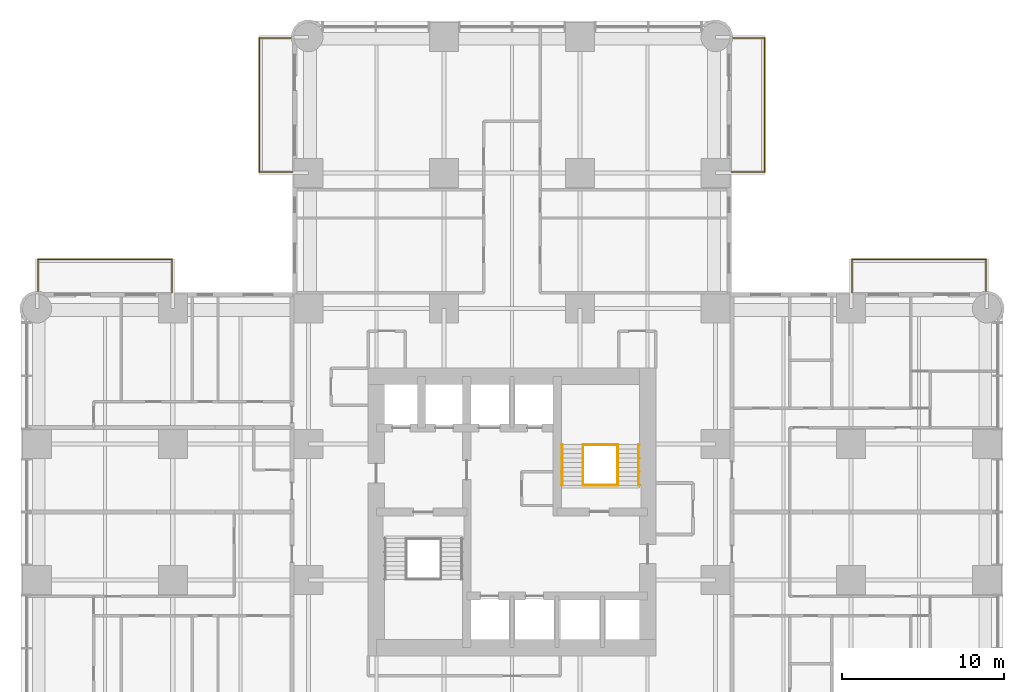
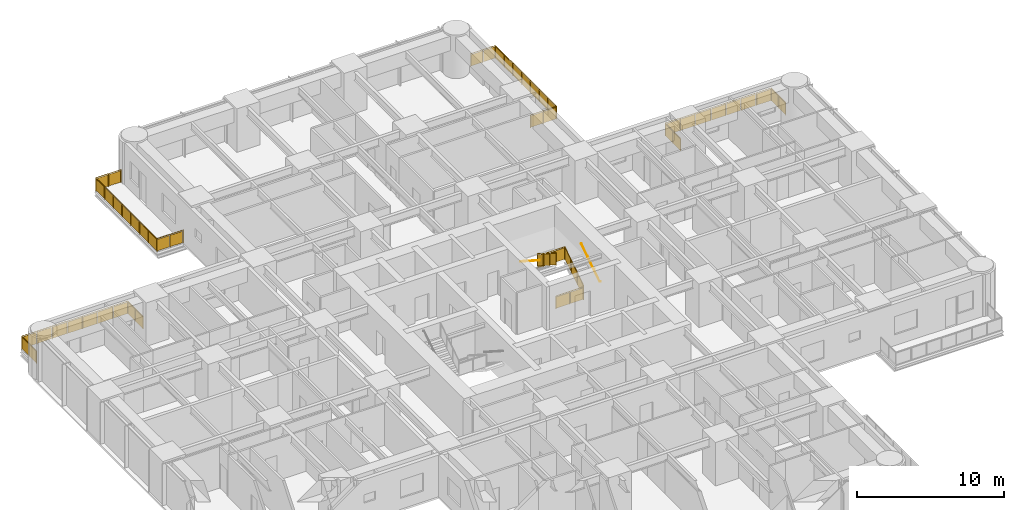
# One storey, part 17 of 17: 10 railings.
"""IFC4 building model written with IfcOpenShell, lengths in metres."""

from ifc_helpers import new_model, si_unit, direction, frame, origin, origin_2d, place, context, subcontext, project, spatial, polyline, circle, outline, extrude, material, constituent, constituent_set, type_object, element, save


model = new_model("IFC4")

# Units and contexts
model_context = context("Model", 3, precision=1e-05, world=origin(), true_north=direction((0.0, 1.0)))
body_context = subcontext(model_context, "Body", "Model", "MODEL_VIEW")
ifc_project = project(units=[si_unit("LENGTHUNIT", "METRE"), si_unit("AREAUNIT", "SQUARE_METRE"), si_unit("VOLUMEUNIT", "CUBIC_METRE"), si_unit("PLANEANGLEUNIT", "RADIAN"), si_unit("MASSUNIT", "GRAM", prefix="KILO")], contexts=[model_context])

# Site, building, storey
site_placement = place(None, origin())
site = spatial("IfcSite", under=ifc_project, at=site_placement, CompositionType="ELEMENT")
building_placement = place(site_placement, origin())
building = spatial("IfcBuilding", under=site, at=building_placement, Name="Torre Alcanfor", CompositionType="ELEMENT")
storey_placement = place(building_placement, frame((0.0, 0.0, 34.5)))
storey = spatial("IfcBuildingStorey", under=building, at=storey_placement, Name="L07", CompositionType="ELEMENT", Elevation=34.5)

# Railings
ifc_material_1 = material(Name="Laminated safety glass", Category="glass")
ifc_constituent_1 = constituent(ifc_material_1, Name="Infill")
ifc_material_2 = material(Name="Stainless steel ASTM A554 Grade MT 316L tube", Category="steel")
ifc_constituent_2 = constituent(ifc_material_2, Name="Posts and rail")
ifc_constituent_set = constituent_set(constituents=[ifc_constituent_1, ifc_constituent_2], Name="Balcony guard glass 1100")
railing_type_1 = type_object("IfcRailingType", Name="Balcony guard glass 1100", PredefinedType="BALUSTRADE", material=ifc_constituent_set)
railing_1_placement = place(storey_placement, frame((15.800048828125, 50.449951171875, 0.0)))
element("IfcRailing", 1, at=railing_1_placement, inside=storey, type_object=railing_type_1, Name="Balcony guard L07-N1", PredefinedType="BALUSTRADE", context=body_context, shape_type="SweptSolid", body=[
    extrude(circle(Radius=0.02392578125, at=origin_2d()), frame((0.0, 0.0, 1.076171875), z_axis=(-1.0, 0.0, 0.0), x_axis=(0.0, -1.0, 0.0)), (0.0, 0.0, 1.0), 2.050048828125),
    extrude(circle(Radius=0.02392578125, at=origin_2d()), frame((-2.050048828125, 0.0, 1.076171875), z_axis=(0.0, 1.0, 0.0), x_axis=(-1.0, 0.0, 0.0)), (0.0, 0.0, 1.0), 8.300048828125),
    extrude(circle(Radius=0.02392578125, at=origin_2d()), frame((-2.050048828125, 8.300048828125, 1.076171875), z_axis=(1.0, 0.0, 0.0), x_axis=(0.0, 1.0, 0.0)), (0.0, 0.0, 1.0), 1.968994140625),
    extrude(circle(Radius=0.02099609375, at=origin_2d()), origin(), (0.0, 0.0, 1.0), 1.052001953125),
    extrude(circle(Radius=0.02099609375, at=origin_2d()), frame((-1.02490234375, 0.0, 0.0)), (0.0, 0.0, 1.0), 1.052001953125),
    extrude(circle(Radius=0.02099609375, at=origin_2d()), frame((-2.050048828125, 0.0, 0.0)), (0.0, 0.0, 1.0), 1.052001953125),
    extrude(circle(Radius=0.02099609375, at=origin_2d()), frame((-2.050048828125, 1.185791015625, 0.0)), (0.0, 0.0, 1.0), 1.052001953125),
    extrude(circle(Radius=0.02099609375, at=origin_2d()), frame((-2.050048828125, 2.371337890625, 0.0)), (0.0, 0.0, 1.0), 1.052001953125),
    extrude(circle(Radius=0.02099609375, at=origin_2d()), frame((-2.050048828125, 3.55712890625, 0.0)), (0.0, 0.0, 1.0), 1.052001953125),
    extrude(circle(Radius=0.02099609375, at=origin_2d()), frame((-2.050048828125, 4.742919921875, 0.0)), (0.0, 0.0, 1.0), 1.052001953125),
    extrude(circle(Radius=0.02099609375, at=origin_2d()), frame((-2.050048828125, 5.9287109375, 0.0)), (0.0, 0.0, 1.0), 1.052001953125),
    extrude(circle(Radius=0.02099609375, at=origin_2d()), frame((-2.050048828125, 7.1142578125, 0.0)), (0.0, 0.0, 1.0), 1.052001953125),
    extrude(circle(Radius=0.02099609375, at=origin_2d()), frame((-2.050048828125, 8.300048828125, 0.0)), (0.0, 0.0, 1.0), 1.052001953125),
    extrude(circle(Radius=0.02099609375, at=origin_2d()), frame((-1.0654296875, 8.300048828125, 0.0)), (0.0, 0.0, 1.0), 1.052001953125),
    extrude(circle(Radius=0.02099609375, at=origin_2d()), frame((-0.0810546875, 8.300048828125, 0.0)), (0.0, 0.0, 1.0), 1.052001953125),
    extrude(outline(polyline([(0.041015625, 0.050048828125), (0.984130859375, 0.050048828125), (0.984130859375, 1.001953125), (0.041015625, 1.001953125), (0.041015625, 0.050048828125)])), frame((0.0, -0.005859375, 0.0), z_axis=(0.0, 1.0, 0.0), x_axis=(-1.0, 0.0, 0.0)), (0.0, 0.0, 1.0), 0.011962890625),
    extrude(outline(polyline([(1.06591796875, 0.050048828125), (2.009033203125, 0.050048828125), (2.009033203125, 1.001953125), (1.06591796875, 1.001953125), (1.06591796875, 0.050048828125)])), frame((0.0, -0.005859375, 0.0), z_axis=(0.0, 1.0, 0.0), x_axis=(-1.0, 0.0, 0.0)), (0.0, 0.0, 1.0), 0.011962890625),
    extrude(outline(polyline([(0.041015625, 0.050048828125), (1.144775390625, 0.050048828125), (1.144775390625, 1.001953125), (0.041015625, 1.001953125), (0.041015625, 0.050048828125)])), frame((-2.05615234375, 0.0, 0.0), z_axis=(1.0, 0.0, 0.0), x_axis=(0.0, 1.0, 0.0)), (0.0, 0.0, 1.0), 0.011962890625),
    extrude(outline(polyline([(1.226806640625, 0.050048828125), (2.330322265625, 0.050048828125), (2.330322265625, 1.001953125), (1.226806640625, 1.001953125), (1.226806640625, 0.050048828125)])), frame((-2.05615234375, 0.0, 0.0), z_axis=(1.0, 0.0, 0.0), x_axis=(0.0, 1.0, 0.0)), (0.0, 0.0, 1.0), 0.011962890625),
    extrude(outline(polyline([(2.412353515625, 0.050048828125), (3.51611328125, 0.050048828125), (3.51611328125, 1.001953125), (2.412353515625, 1.001953125), (2.412353515625, 0.050048828125)])), frame((-2.05615234375, 0.0, 0.0), z_axis=(1.0, 0.0, 0.0), x_axis=(0.0, 1.0, 0.0)), (0.0, 0.0, 1.0), 0.011962890625),
    extrude(outline(polyline([(3.59814453125, 0.050048828125), (4.701904296875, 0.050048828125), (4.701904296875, 1.001953125), (3.59814453125, 1.001953125), (3.59814453125, 0.050048828125)])), frame((-2.05615234375, 0.0, 0.0), z_axis=(1.0, 0.0, 0.0), x_axis=(0.0, 1.0, 0.0)), (0.0, 0.0, 1.0), 0.011962890625),
    extrude(outline(polyline([(4.783935546875, 0.050048828125), (5.8876953125, 0.050048828125), (5.8876953125, 1.001953125), (4.783935546875, 1.001953125), (4.783935546875, 0.050048828125)])), frame((-2.05615234375, 0.0, 0.0), z_axis=(1.0, 0.0, 0.0), x_axis=(0.0, 1.0, 0.0)), (0.0, 0.0, 1.0), 0.011962890625),
    extrude(outline(polyline([(5.9697265625, 0.050048828125), (7.0732421875, 0.050048828125), (7.0732421875, 1.001953125), (5.9697265625, 1.001953125), (5.9697265625, 0.050048828125)])), frame((-2.05615234375, 0.0, 0.0), z_axis=(1.0, 0.0, 0.0), x_axis=(0.0, 1.0, 0.0)), (0.0, 0.0, 1.0), 0.011962890625),
    extrude(outline(polyline([(7.1552734375, 0.050048828125), (8.259033203125, 0.050048828125), (8.259033203125, 1.001953125), (7.1552734375, 1.001953125), (7.1552734375, 0.050048828125)])), frame((-2.05615234375, 0.0, 0.0), z_axis=(1.0, 0.0, 0.0), x_axis=(0.0, 1.0, 0.0)), (0.0, 0.0, 1.0), 0.011962890625),
    extrude(outline(polyline([(0.041015625, 0.050048828125), (0.943603515625, 0.050048828125), (0.943603515625, 1.001953125), (0.041015625, 1.001953125), (0.041015625, 0.050048828125)])), frame((-2.050048828125, 8.30615234375, 0.0), z_axis=(0.0, -1.0, 0.0), x_axis=(1.0, 0.0, 0.0)), (0.0, 0.0, 1.0), 0.011962890625),
    extrude(outline(polyline([(1.025390625, 0.050048828125), (1.927978515625, 0.050048828125), (1.927978515625, 1.001953125), (1.025390625, 1.001953125), (1.025390625, 0.050048828125)])), frame((-2.050048828125, 8.30615234375, 0.0), z_axis=(0.0, -1.0, 0.0), x_axis=(1.0, 0.0, 0.0)), (0.0, 0.0, 1.0), 0.011962890625),
])
railing_2_placement = place(storey_placement, frame((43.0, 50.449951171875, 0.0)))
element("IfcRailing", 2, at=railing_2_placement, inside=storey, type_object=railing_type_1, Name="Balcony guard L07-N2", PredefinedType="BALUSTRADE", context=body_context, shape_type="SweptSolid", body=[
    extrude(circle(Radius=0.02392578125, at=origin_2d()), frame((0.0, 0.0, 1.076171875), z_axis=(1.0, 0.0, 0.0), x_axis=(0.0, 1.0, 0.0)), (0.0, 0.0, 1.0), 2.050048828125),
    extrude(circle(Radius=0.02392578125, at=origin_2d()), frame((2.050048828125, 0.0, 1.076171875), z_axis=(0.0, 1.0, 0.0), x_axis=(-1.0, 0.0, 0.0)), (0.0, 0.0, 1.0), 8.300048828125),
    extrude(circle(Radius=0.02392578125, at=origin_2d()), frame((2.050048828125, 8.300048828125, 1.076171875), z_axis=(-1.0, 0.0, 0.0), x_axis=(0.0, -1.0, 0.0)), (0.0, 0.0, 1.0), 1.968994140625),
    extrude(circle(Radius=0.02099609375, at=origin_2d()), origin(), (0.0, 0.0, 1.0), 1.052001953125),
    extrude(circle(Radius=0.02099609375, at=origin_2d()), frame((1.02490234375, 0.0, 0.0)), (0.0, 0.0, 1.0), 1.052001953125),
    extrude(circle(Radius=0.02099609375, at=origin_2d()), frame((2.050048828125, 0.0, 0.0)), (0.0, 0.0, 1.0), 1.052001953125),
    extrude(circle(Radius=0.02099609375, at=origin_2d()), frame((2.050048828125, 1.185791015625, 0.0)), (0.0, 0.0, 1.0), 1.052001953125),
    extrude(circle(Radius=0.02099609375, at=origin_2d()), frame((2.050048828125, 2.371337890625, 0.0)), (0.0, 0.0, 1.0), 1.052001953125),
    extrude(circle(Radius=0.02099609375, at=origin_2d()), frame((2.050048828125, 3.55712890625, 0.0)), (0.0, 0.0, 1.0), 1.052001953125),
    extrude(circle(Radius=0.02099609375, at=origin_2d()), frame((2.050048828125, 4.742919921875, 0.0)), (0.0, 0.0, 1.0), 1.052001953125),
    extrude(circle(Radius=0.02099609375, at=origin_2d()), frame((2.050048828125, 5.9287109375, 0.0)), (0.0, 0.0, 1.0), 1.052001953125),
    extrude(circle(Radius=0.02099609375, at=origin_2d()), frame((2.050048828125, 7.1142578125, 0.0)), (0.0, 0.0, 1.0), 1.052001953125),
    extrude(circle(Radius=0.02099609375, at=origin_2d()), frame((2.050048828125, 8.300048828125, 0.0)), (0.0, 0.0, 1.0), 1.052001953125),
    extrude(circle(Radius=0.02099609375, at=origin_2d()), frame((1.0654296875, 8.300048828125, 0.0)), (0.0, 0.0, 1.0), 1.052001953125),
    extrude(circle(Radius=0.02099609375, at=origin_2d()), frame((0.0810546875, 8.300048828125, 0.0)), (0.0, 0.0, 1.0), 1.052001953125),
    extrude(outline(polyline([(0.041015625, 0.050048828125), (0.984130859375, 0.050048828125), (0.984130859375, 1.001953125), (0.041015625, 1.001953125), (0.041015625, 0.050048828125)])), frame((0.0, 0.005859375, 0.0), z_axis=(0.0, -1.0, 0.0), x_axis=(1.0, 0.0, 0.0)), (0.0, 0.0, 1.0), 0.011962890625),
    extrude(outline(polyline([(1.06591796875, 0.050048828125), (2.009033203125, 0.050048828125), (2.009033203125, 1.001953125), (1.06591796875, 1.001953125), (1.06591796875, 0.050048828125)])), frame((0.0, 0.005859375, 0.0), z_axis=(0.0, -1.0, 0.0), x_axis=(1.0, 0.0, 0.0)), (0.0, 0.0, 1.0), 0.011962890625),
    extrude(outline(polyline([(0.041015625, 0.050048828125), (1.144775390625, 0.050048828125), (1.144775390625, 1.001953125), (0.041015625, 1.001953125), (0.041015625, 0.050048828125)])), frame((2.0439453125, 0.0, 0.0), z_axis=(1.0, 0.0, 0.0), x_axis=(0.0, 1.0, 0.0)), (0.0, 0.0, 1.0), 0.011962890625),
    extrude(outline(polyline([(1.226806640625, 0.050048828125), (2.330322265625, 0.050048828125), (2.330322265625, 1.001953125), (1.226806640625, 1.001953125), (1.226806640625, 0.050048828125)])), frame((2.0439453125, 0.0, 0.0), z_axis=(1.0, 0.0, 0.0), x_axis=(0.0, 1.0, 0.0)), (0.0, 0.0, 1.0), 0.011962890625),
    extrude(outline(polyline([(2.412353515625, 0.050048828125), (3.51611328125, 0.050048828125), (3.51611328125, 1.001953125), (2.412353515625, 1.001953125), (2.412353515625, 0.050048828125)])), frame((2.0439453125, 0.0, 0.0), z_axis=(1.0, 0.0, 0.0), x_axis=(0.0, 1.0, 0.0)), (0.0, 0.0, 1.0), 0.011962890625),
    extrude(outline(polyline([(3.59814453125, 0.050048828125), (4.701904296875, 0.050048828125), (4.701904296875, 1.001953125), (3.59814453125, 1.001953125), (3.59814453125, 0.050048828125)])), frame((2.0439453125, 0.0, 0.0), z_axis=(1.0, 0.0, 0.0), x_axis=(0.0, 1.0, 0.0)), (0.0, 0.0, 1.0), 0.011962890625),
    extrude(outline(polyline([(4.783935546875, 0.050048828125), (5.8876953125, 0.050048828125), (5.8876953125, 1.001953125), (4.783935546875, 1.001953125), (4.783935546875, 0.050048828125)])), frame((2.0439453125, 0.0, 0.0), z_axis=(1.0, 0.0, 0.0), x_axis=(0.0, 1.0, 0.0)), (0.0, 0.0, 1.0), 0.011962890625),
    extrude(outline(polyline([(5.9697265625, 0.050048828125), (7.0732421875, 0.050048828125), (7.0732421875, 1.001953125), (5.9697265625, 1.001953125), (5.9697265625, 0.050048828125)])), frame((2.0439453125, 0.0, 0.0), z_axis=(1.0, 0.0, 0.0), x_axis=(0.0, 1.0, 0.0)), (0.0, 0.0, 1.0), 0.011962890625),
    extrude(outline(polyline([(7.1552734375, 0.050048828125), (8.259033203125, 0.050048828125), (8.259033203125, 1.001953125), (7.1552734375, 1.001953125), (7.1552734375, 0.050048828125)])), frame((2.0439453125, 0.0, 0.0), z_axis=(1.0, 0.0, 0.0), x_axis=(0.0, 1.0, 0.0)), (0.0, 0.0, 1.0), 0.011962890625),
    extrude(outline(polyline([(0.041015625, 0.050048828125), (0.943603515625, 0.050048828125), (0.943603515625, 1.001953125), (0.041015625, 1.001953125), (0.041015625, 0.050048828125)])), frame((2.050048828125, 8.2939453125, 0.0), z_axis=(0.0, 1.0, 0.0), x_axis=(-1.0, 0.0, 0.0)), (0.0, 0.0, 1.0), 0.011962890625),
    extrude(outline(polyline([(1.025390625, 0.050048828125), (1.927978515625, 0.050048828125), (1.927978515625, 1.001953125), (1.025390625, 1.001953125), (1.025390625, 0.050048828125)])), frame((2.050048828125, 8.2939453125, 0.0), z_axis=(0.0, 1.0, 0.0), x_axis=(-1.0, 0.0, 0.0)), (0.0, 0.0, 1.0), 0.011962890625),
])
railing_3_placement = place(storey_placement, frame((50.449951171875, 43.0, 0.0)))
element("IfcRailing", 3, at=railing_3_placement, inside=storey, type_object=railing_type_1, Name="Balcony guard L07-E1", PredefinedType="BALUSTRADE", context=body_context, shape_type="SweptSolid", body=[
    extrude(circle(Radius=0.02392578125, at=origin_2d()), frame((0.0, 0.0, 1.076171875), z_axis=(0.0, 1.0, 0.0), x_axis=(-1.0, 0.0, 0.0)), (0.0, 0.0, 1.0), 2.050048828125),
    extrude(circle(Radius=0.02392578125, at=origin_2d()), frame((0.0, 2.050048828125, 1.076171875), z_axis=(1.0, 0.0, 0.0), x_axis=(0.0, 1.0, 0.0)), (0.0, 0.0, 1.0), 8.300048828125),
    extrude(circle(Radius=0.02392578125, at=origin_2d()), frame((8.300048828125, 2.050048828125, 1.076171875), z_axis=(0.0, -1.0, 0.0), x_axis=(1.0, 0.0, 0.0)), (0.0, 0.0, 1.0), 1.968994140625),
    extrude(circle(Radius=0.02099609375, at=origin_2d()), origin(), (0.0, 0.0, 1.0), 1.052001953125),
    extrude(circle(Radius=0.02099609375, at=origin_2d()), frame((0.0, 1.02490234375, 0.0)), (0.0, 0.0, 1.0), 1.052001953125),
    extrude(circle(Radius=0.02099609375, at=origin_2d()), frame((0.0, 2.050048828125, 0.0)), (0.0, 0.0, 1.0), 1.052001953125),
    extrude(circle(Radius=0.02099609375, at=origin_2d()), frame((1.185791015625, 2.050048828125, 0.0)), (0.0, 0.0, 1.0), 1.052001953125),
    extrude(circle(Radius=0.02099609375, at=origin_2d()), frame((2.371337890625, 2.050048828125, 0.0)), (0.0, 0.0, 1.0), 1.052001953125),
    extrude(circle(Radius=0.02099609375, at=origin_2d()), frame((3.55712890625, 2.050048828125, 0.0)), (0.0, 0.0, 1.0), 1.052001953125),
    extrude(circle(Radius=0.02099609375, at=origin_2d()), frame((4.742919921875, 2.050048828125, 0.0)), (0.0, 0.0, 1.0), 1.052001953125),
    extrude(circle(Radius=0.02099609375, at=origin_2d()), frame((5.9287109375, 2.050048828125, 0.0)), (0.0, 0.0, 1.0), 1.052001953125),
    extrude(circle(Radius=0.02099609375, at=origin_2d()), frame((7.1142578125, 2.050048828125, 0.0)), (0.0, 0.0, 1.0), 1.052001953125),
    extrude(circle(Radius=0.02099609375, at=origin_2d()), frame((8.300048828125, 2.050048828125, 0.0)), (0.0, 0.0, 1.0), 1.052001953125),
    extrude(circle(Radius=0.02099609375, at=origin_2d()), frame((8.300048828125, 1.0654296875, 0.0)), (0.0, 0.0, 1.0), 1.052001953125),
    extrude(circle(Radius=0.02099609375, at=origin_2d()), frame((8.300048828125, 0.0810546875, 0.0)), (0.0, 0.0, 1.0), 1.052001953125),
    extrude(outline(polyline([(0.041015625, 0.050048828125), (0.984130859375, 0.050048828125), (0.984130859375, 1.001953125), (0.041015625, 1.001953125), (0.041015625, 0.050048828125)])), frame((-0.005859375, 0.0, 0.0), z_axis=(1.0, 0.0, 0.0), x_axis=(0.0, 1.0, 0.0)), (0.0, 0.0, 1.0), 0.011962890625),
    extrude(outline(polyline([(1.06591796875, 0.050048828125), (2.009033203125, 0.050048828125), (2.009033203125, 1.001953125), (1.06591796875, 1.001953125), (1.06591796875, 0.050048828125)])), frame((-0.005859375, 0.0, 0.0), z_axis=(1.0, 0.0, 0.0), x_axis=(0.0, 1.0, 0.0)), (0.0, 0.0, 1.0), 0.011962890625),
    extrude(outline(polyline([(0.041015625, 0.050048828125), (1.144775390625, 0.050048828125), (1.144775390625, 1.001953125), (0.041015625, 1.001953125), (0.041015625, 0.050048828125)])), frame((0.0, 2.05615234375, 0.0), z_axis=(0.0, -1.0, 0.0), x_axis=(1.0, 0.0, 0.0)), (0.0, 0.0, 1.0), 0.011962890625),
    extrude(outline(polyline([(1.226806640625, 0.050048828125), (2.330322265625, 0.050048828125), (2.330322265625, 1.001953125), (1.226806640625, 1.001953125), (1.226806640625, 0.050048828125)])), frame((0.0, 2.05615234375, 0.0), z_axis=(0.0, -1.0, 0.0), x_axis=(1.0, 0.0, 0.0)), (0.0, 0.0, 1.0), 0.011962890625),
    extrude(outline(polyline([(2.412353515625, 0.050048828125), (3.51611328125, 0.050048828125), (3.51611328125, 1.001953125), (2.412353515625, 1.001953125), (2.412353515625, 0.050048828125)])), frame((0.0, 2.05615234375, 0.0), z_axis=(0.0, -1.0, 0.0), x_axis=(1.0, 0.0, 0.0)), (0.0, 0.0, 1.0), 0.011962890625),
    extrude(outline(polyline([(3.59814453125, 0.050048828125), (4.701904296875, 0.050048828125), (4.701904296875, 1.001953125), (3.59814453125, 1.001953125), (3.59814453125, 0.050048828125)])), frame((0.0, 2.05615234375, 0.0), z_axis=(0.0, -1.0, 0.0), x_axis=(1.0, 0.0, 0.0)), (0.0, 0.0, 1.0), 0.011962890625),
    extrude(outline(polyline([(4.783935546875, 0.050048828125), (5.8876953125, 0.050048828125), (5.8876953125, 1.001953125), (4.783935546875, 1.001953125), (4.783935546875, 0.050048828125)])), frame((0.0, 2.05615234375, 0.0), z_axis=(0.0, -1.0, 0.0), x_axis=(1.0, 0.0, 0.0)), (0.0, 0.0, 1.0), 0.011962890625),
    extrude(outline(polyline([(5.9697265625, 0.050048828125), (7.0732421875, 0.050048828125), (7.0732421875, 1.001953125), (5.9697265625, 1.001953125), (5.9697265625, 0.050048828125)])), frame((0.0, 2.05615234375, 0.0), z_axis=(0.0, -1.0, 0.0), x_axis=(1.0, 0.0, 0.0)), (0.0, 0.0, 1.0), 0.011962890625),
    extrude(outline(polyline([(7.1552734375, 0.050048828125), (8.259033203125, 0.050048828125), (8.259033203125, 1.001953125), (7.1552734375, 1.001953125), (7.1552734375, 0.050048828125)])), frame((0.0, 2.05615234375, 0.0), z_axis=(0.0, -1.0, 0.0), x_axis=(1.0, 0.0, 0.0)), (0.0, 0.0, 1.0), 0.011962890625),
    extrude(outline(polyline([(0.041015625, 0.050048828125), (0.943603515625, 0.050048828125), (0.943603515625, 1.001953125), (0.041015625, 1.001953125), (0.041015625, 0.050048828125)])), frame((8.30615234375, 2.050048828125, 0.0), z_axis=(-1.0, 0.0, 0.0), x_axis=(0.0, -1.0, 0.0)), (0.0, 0.0, 1.0), 0.011962890625),
    extrude(outline(polyline([(1.025390625, 0.050048828125), (1.927978515625, 0.050048828125), (1.927978515625, 1.001953125), (1.025390625, 1.001953125), (1.025390625, 0.050048828125)])), frame((8.30615234375, 2.050048828125, 0.0), z_axis=(-1.0, 0.0, 0.0), x_axis=(0.0, -1.0, 0.0)), (0.0, 0.0, 1.0), 0.011962890625),
])
railing_4_placement = place(storey_placement, frame((8.35009765625, 43.0, 0.0)))
element("IfcRailing", 4, at=railing_4_placement, inside=storey, type_object=railing_type_1, Name="Balcony guard L07-W2", PredefinedType="BALUSTRADE", context=body_context, shape_type="SweptSolid", body=[
    extrude(circle(Radius=0.02392578125, at=origin_2d()), frame((0.0, 0.0, 1.076171875), z_axis=(0.0, 1.0, 0.0), x_axis=(-1.0, 0.0, 0.0)), (0.0, 0.0, 1.0), 2.050048828125),
    extrude(circle(Radius=0.02392578125, at=origin_2d()), frame((0.0, 2.050048828125, 1.076171875), z_axis=(-1.0, 0.0, 0.0), x_axis=(0.0, -1.0, 0.0)), (0.0, 0.0, 1.0), 8.300048828125),
    extrude(circle(Radius=0.02392578125, at=origin_2d()), frame((-8.300048828125, 2.050048828125, 1.076171875), z_axis=(0.0, -1.0, 0.0), x_axis=(1.0, 0.0, 0.0)), (0.0, 0.0, 1.0), 1.968994140625),
    extrude(circle(Radius=0.02099609375, at=origin_2d()), origin(), (0.0, 0.0, 1.0), 1.052001953125),
    extrude(circle(Radius=0.02099609375, at=origin_2d()), frame((0.0, 1.02490234375, 0.0)), (0.0, 0.0, 1.0), 1.052001953125),
    extrude(circle(Radius=0.02099609375, at=origin_2d()), frame((0.0, 2.050048828125, 0.0)), (0.0, 0.0, 1.0), 1.052001953125),
    extrude(circle(Radius=0.02099609375, at=origin_2d()), frame((-1.185791015625, 2.050048828125, 0.0)), (0.0, 0.0, 1.0), 1.052001953125),
    extrude(circle(Radius=0.02099609375, at=origin_2d()), frame((-2.371337890625, 2.050048828125, 0.0)), (0.0, 0.0, 1.0), 1.052001953125),
    extrude(circle(Radius=0.02099609375, at=origin_2d()), frame((-3.55712890625, 2.050048828125, 0.0)), (0.0, 0.0, 1.0), 1.052001953125),
    extrude(circle(Radius=0.02099609375, at=origin_2d()), frame((-4.742919921875, 2.050048828125, 0.0)), (0.0, 0.0, 1.0), 1.052001953125),
    extrude(circle(Radius=0.02099609375, at=origin_2d()), frame((-5.9287109375, 2.050048828125, 0.0)), (0.0, 0.0, 1.0), 1.052001953125),
    extrude(circle(Radius=0.02099609375, at=origin_2d()), frame((-7.1142578125, 2.050048828125, 0.0)), (0.0, 0.0, 1.0), 1.052001953125),
    extrude(circle(Radius=0.02099609375, at=origin_2d()), frame((-8.300048828125, 2.050048828125, 0.0)), (0.0, 0.0, 1.0), 1.052001953125),
    extrude(circle(Radius=0.02099609375, at=origin_2d()), frame((-8.300048828125, 1.0654296875, 0.0)), (0.0, 0.0, 1.0), 1.052001953125),
    extrude(circle(Radius=0.02099609375, at=origin_2d()), frame((-8.300048828125, 0.0810546875, 0.0)), (0.0, 0.0, 1.0), 1.052001953125),
    extrude(outline(polyline([(0.041015625, 0.050048828125), (0.984130859375, 0.050048828125), (0.984130859375, 1.001953125), (0.041015625, 1.001953125), (0.041015625, 0.050048828125)])), frame((-0.005859375, 0.0, 0.0), z_axis=(1.0, 0.0, 0.0), x_axis=(0.0, 1.0, 0.0)), (0.0, 0.0, 1.0), 0.011962890625),
    extrude(outline(polyline([(1.06591796875, 0.050048828125), (2.009033203125, 0.050048828125), (2.009033203125, 1.001953125), (1.06591796875, 1.001953125), (1.06591796875, 0.050048828125)])), frame((-0.005859375, 0.0, 0.0), z_axis=(1.0, 0.0, 0.0), x_axis=(0.0, 1.0, 0.0)), (0.0, 0.0, 1.0), 0.011962890625),
    extrude(outline(polyline([(0.041015625, 0.050048828125), (1.144775390625, 0.050048828125), (1.144775390625, 1.001953125), (0.041015625, 1.001953125), (0.041015625, 0.050048828125)])), frame((0.0, 2.0439453125, 0.0), z_axis=(0.0, 1.0, 0.0), x_axis=(-1.0, 0.0, 0.0)), (0.0, 0.0, 1.0), 0.011962890625),
    extrude(outline(polyline([(1.226806640625, 0.050048828125), (2.330322265625, 0.050048828125), (2.330322265625, 1.001953125), (1.226806640625, 1.001953125), (1.226806640625, 0.050048828125)])), frame((0.0, 2.0439453125, 0.0), z_axis=(0.0, 1.0, 0.0), x_axis=(-1.0, 0.0, 0.0)), (0.0, 0.0, 1.0), 0.011962890625),
    extrude(outline(polyline([(2.412353515625, 0.050048828125), (3.51611328125, 0.050048828125), (3.51611328125, 1.001953125), (2.412353515625, 1.001953125), (2.412353515625, 0.050048828125)])), frame((0.0, 2.0439453125, 0.0), z_axis=(0.0, 1.0, 0.0), x_axis=(-1.0, 0.0, 0.0)), (0.0, 0.0, 1.0), 0.011962890625),
    extrude(outline(polyline([(3.59814453125, 0.050048828125), (4.701904296875, 0.050048828125), (4.701904296875, 1.001953125), (3.59814453125, 1.001953125), (3.59814453125, 0.050048828125)])), frame((0.0, 2.0439453125, 0.0), z_axis=(0.0, 1.0, 0.0), x_axis=(-1.0, 0.0, 0.0)), (0.0, 0.0, 1.0), 0.011962890625),
    extrude(outline(polyline([(4.783935546875, 0.050048828125), (5.8876953125, 0.050048828125), (5.8876953125, 1.001953125), (4.783935546875, 1.001953125), (4.783935546875, 0.050048828125)])), frame((0.0, 2.0439453125, 0.0), z_axis=(0.0, 1.0, 0.0), x_axis=(-1.0, 0.0, 0.0)), (0.0, 0.0, 1.0), 0.011962890625),
    extrude(outline(polyline([(5.9697265625, 0.050048828125), (7.0732421875, 0.050048828125), (7.0732421875, 1.001953125), (5.9697265625, 1.001953125), (5.9697265625, 0.050048828125)])), frame((0.0, 2.0439453125, 0.0), z_axis=(0.0, 1.0, 0.0), x_axis=(-1.0, 0.0, 0.0)), (0.0, 0.0, 1.0), 0.011962890625),
    extrude(outline(polyline([(7.1552734375, 0.050048828125), (8.259033203125, 0.050048828125), (8.259033203125, 1.001953125), (7.1552734375, 1.001953125), (7.1552734375, 0.050048828125)])), frame((0.0, 2.0439453125, 0.0), z_axis=(0.0, 1.0, 0.0), x_axis=(-1.0, 0.0, 0.0)), (0.0, 0.0, 1.0), 0.011962890625),
    extrude(outline(polyline([(0.041015625, 0.050048828125), (0.943603515625, 0.050048828125), (0.943603515625, 1.001953125), (0.041015625, 1.001953125), (0.041015625, 0.050048828125)])), frame((-8.2939453125, 2.050048828125, 0.0), z_axis=(-1.0, 0.0, 0.0), x_axis=(0.0, -1.0, 0.0)), (0.0, 0.0, 1.0), 0.011962890625),
    extrude(outline(polyline([(1.025390625, 0.050048828125), (1.927978515625, 0.050048828125), (1.927978515625, 1.001953125), (1.025390625, 1.001953125), (1.025390625, 0.050048828125)])), frame((-8.2939453125, 2.050048828125, 0.0), z_axis=(-1.0, 0.0, 0.0), x_axis=(0.0, -1.0, 0.0)), (0.0, 0.0, 1.0), 0.011962890625),
])
ifc_material_3 = material(Name="Steel ASTM A500 Grade C hollow sections", Category="steel")
railing_type_2 = type_object("IfcRailingType", Name="Stair guard and handrail 1100", PredefinedType="GUARDRAIL", material=ifc_material_3)
railing_5_placement = place(storey_placement, frame((35.949951171875, 31.050048828125, 0.179931640625)))
element("IfcRailing", 5, at=railing_5_placement, inside=storey, type_object=railing_type_2, Name="Stair guard S2 L07 flight 1", PredefinedType="GUARDRAIL", context=body_context, shape_type="SweptSolid", body=[
    extrude(circle(Radius=0.02392578125, at=origin_2d()), frame((0.0, 0.0, 1.076171875), z_axis=(0.0, 0.841162588446, 0.540782303519), x_axis=(-1.0, 0.0, 0.0)), (0.0, 0.0, 1.0), 2.995849609375),
    extrude(circle(Radius=0.02099609375, at=origin_2d()), origin(), (0.0, 0.0, 1.0), 1.052001953125),
    extrude(circle(Radius=0.02099609375, at=origin_2d()), frame((0.0, 0.840087890625, 0.5400390625)), (0.0, 0.0, 1.0), 1.052001953125),
    extrude(circle(Radius=0.02099609375, at=origin_2d()), frame((0.0, 1.679931640625, 1.080078125)), (0.0, 0.0, 1.0), 1.052001953125),
    extrude(circle(Radius=0.02099609375, at=origin_2d()), frame((0.0, 2.52001953125, 1.6201171875)), (0.0, 0.0, 1.0), 1.052001953125),
    extrude(outline(polyline([(0.041015625, 0.076416015625), (0.799072265625, 0.563720703125), (0.799072265625, 1.515625), (0.041015625, 1.0283203125), (0.041015625, 0.076416015625)])), frame((-0.005859375, 0.0, 0.0), z_axis=(1.0, 0.0, 0.0), x_axis=(0.0, 1.0, 0.0)), (0.0, 0.0, 1.0), 0.011962890625),
    extrude(outline(polyline([(0.881103515625, 0.616455078125), (1.638916015625, 1.103759765625), (1.638916015625, 2.0556640625), (0.881103515625, 1.568359375), (0.881103515625, 0.616455078125)])), frame((-0.005859375, 0.0, 0.0), z_axis=(1.0, 0.0, 0.0), x_axis=(0.0, 1.0, 0.0)), (0.0, 0.0, 1.0), 0.011962890625),
    extrude(outline(polyline([(1.720947265625, 1.156494140625), (2.47900390625, 1.643798828125), (2.47900390625, 2.595703125), (1.720947265625, 2.1083984375), (1.720947265625, 1.156494140625)])), frame((-0.005859375, 0.0, 0.0), z_axis=(1.0, 0.0, 0.0), x_axis=(0.0, 1.0, 0.0)), (0.0, 0.0, 1.0), 0.011962890625),
])
railing_6_placement = place(storey_placement, frame((33.800048828125, 33.570068359375, 1.97998046875)))
element("IfcRailing", 6, at=railing_6_placement, inside=storey, type_object=railing_type_2, Name="Stair guard S2 L07 flight 2", PredefinedType="GUARDRAIL", context=body_context, shape_type="SweptSolid", body=[
    extrude(circle(Radius=0.02392578125, at=origin_2d()), frame((0.0, 0.0, 1.076171875), z_axis=(0.0, -0.841162588446, 0.540782303519), x_axis=(1.0, 0.0, 0.0)), (0.0, 0.0, 1.0), 2.995849609375),
    extrude(circle(Radius=0.02099609375, at=origin_2d()), origin(), (0.0, 0.0, 1.0), 1.052001953125),
    extrude(circle(Radius=0.02099609375, at=origin_2d()), frame((0.0, -0.840087890625, 0.5400390625)), (0.0, 0.0, 1.0), 1.052001953125),
    extrude(circle(Radius=0.02099609375, at=origin_2d()), frame((0.0, -1.679931640625, 1.080078125)), (0.0, 0.0, 1.0), 1.052001953125),
    extrude(circle(Radius=0.02099609375, at=origin_2d()), frame((0.0, -2.52001953125, 1.6201171875)), (0.0, 0.0, 1.0), 1.052001953125),
    extrude(outline(polyline([(0.041015625, 0.076416015625), (0.799072265625, 0.563720703125), (0.799072265625, 1.515625), (0.041015625, 1.0283203125), (0.041015625, 0.076416015625)])), frame((0.005859375, 0.0, 0.0), z_axis=(-1.0, 0.0, 0.0), x_axis=(0.0, -1.0, 0.0)), (0.0, 0.0, 1.0), 0.011962890625),
    extrude(outline(polyline([(0.881103515625, 0.616455078125), (1.638916015625, 1.103759765625), (1.638916015625, 2.0556640625), (0.881103515625, 1.568359375), (0.881103515625, 0.616455078125)])), frame((0.005859375, 0.0, 0.0), z_axis=(-1.0, 0.0, 0.0), x_axis=(0.0, -1.0, 0.0)), (0.0, 0.0, 1.0), 0.011962890625),
    extrude(outline(polyline([(1.720947265625, 1.156494140625), (2.47900390625, 1.643798828125), (2.47900390625, 2.595703125), (1.720947265625, 2.1083984375), (1.720947265625, 1.156494140625)])), frame((0.005859375, 0.0, 0.0), z_axis=(-1.0, 0.0, 0.0), x_axis=(0.0, -1.0, 0.0)), (0.0, 0.0, 1.0), 0.011962890625),
])
for number, where, name in (
    (7, (33.800048828125, 31.050048828125, 0.0), "Stair well guard S2 L07 floor landing"),
    (8, (33.800048828125, 33.570068359375, 1.800048828125), "Stair well guard S2 L07 half landing"),
):
    element("IfcRailing", number, at=place(storey_placement, frame(where)), inside=storey, type_object=railing_type_2, Name=name, PredefinedType="GUARDRAIL", context=body_context, shape_type="SweptSolid", body=[
        extrude(circle(Radius=0.02392578125, at=origin_2d()), frame((0.0, 0.0, 1.076171875), z_axis=(1.0, 0.0, 0.0), x_axis=(0.0, 1.0, 0.0)), (0.0, 0.0, 1.0), 2.14990234375),
        extrude(circle(Radius=0.02099609375, at=origin_2d()), origin(), (0.0, 0.0, 1.0), 1.052001953125),
        extrude(circle(Radius=0.02099609375, at=origin_2d()), frame((1.074951171875, 0.0, 0.0)), (0.0, 0.0, 1.0), 1.052001953125),
        extrude(circle(Radius=0.02099609375, at=origin_2d()), frame((2.14990234375, 0.0, 0.0)), (0.0, 0.0, 1.0), 1.052001953125),
        extrude(outline(polyline([(0.041015625, 0.050048828125), (1.033935546875, 0.050048828125), (1.033935546875, 1.001953125), (0.041015625, 1.001953125), (0.041015625, 0.050048828125)])), frame((0.0, 0.005859375, 0.0), z_axis=(0.0, -1.0, 0.0), x_axis=(1.0, 0.0, 0.0)), (0.0, 0.0, 1.0), 0.011962890625),
        extrude(outline(polyline([(1.115966796875, 0.050048828125), (2.10888671875, 0.050048828125), (2.10888671875, 1.001953125), (1.115966796875, 1.001953125), (1.115966796875, 0.050048828125)])), frame((0.0, 0.005859375, 0.0), z_axis=(0.0, -1.0, 0.0), x_axis=(1.0, 0.0, 0.0)), (0.0, 0.0, 1.0), 0.011962890625),
    ])
ifc_material_4 = material(Name="Steel ASTM A500 Grade C hollow sections", Category="steel")
railing_type_3 = type_object("IfcRailingType", Name="Stair wall handrail 900", PredefinedType="HANDRAIL", material=ifc_material_4)
railing_7_placement = place(storey_placement, frame((37.235107421875, 31.050048828125, 0.179931640625)))
element("IfcRailing", 9, at=railing_7_placement, inside=storey, type_object=railing_type_3, Name="Stair handrail S2 L07 flight 1", PredefinedType="HANDRAIL", context=body_context, shape_type="SweptSolid", body=[
    extrude(circle(Radius=0.02392578125, at=origin_2d()), frame((0.0, 0.0, 0.8759765625), z_axis=(0.0, 0.841162588446, 0.540782303519), x_axis=(-1.0, 0.0, 0.0)), (0.0, 0.0, 1.0), 2.995849609375),
    extrude(circle(Radius=0.008056640625, at=origin_2d()), frame((0.0, 0.0, 0.8759765625), z_axis=(1.0, 0.0, 0.0), x_axis=(0.0, 0.0, 1.0)), (0.0, 0.0, 1.0), 0.06494140625),
    extrude(circle(Radius=0.008056640625, at=origin_2d()), frame((0.0, 0.840087890625, 1.416015625), z_axis=(1.0, 0.0, 0.0), x_axis=(0.0, 0.0, 1.0)), (0.0, 0.0, 1.0), 0.06494140625),
    extrude(circle(Radius=0.008056640625, at=origin_2d()), frame((0.0, 1.679931640625, 1.9560546875), z_axis=(1.0, 0.0, 0.0), x_axis=(0.0, 0.0, 1.0)), (0.0, 0.0, 1.0), 0.06494140625),
    extrude(circle(Radius=0.008056640625, at=origin_2d()), frame((0.0, 2.52001953125, 2.49609375), z_axis=(1.0, 0.0, 0.0), x_axis=(0.0, 0.0, 1.0)), (0.0, 0.0, 1.0), 0.06494140625),
])
railing_8_placement = place(storey_placement, frame((32.514892578125, 33.570068359375, 1.97998046875)))
element("IfcRailing", 10, at=railing_8_placement, inside=storey, type_object=railing_type_3, Name="Stair handrail S2 L07 flight 2", PredefinedType="HANDRAIL", context=body_context, shape_type="SweptSolid", body=[
    extrude(circle(Radius=0.02392578125, at=origin_2d()), frame((0.0, 0.0, 0.8759765625), z_axis=(0.0, -0.841162588446, 0.540782303519), x_axis=(1.0, 0.0, 0.0)), (0.0, 0.0, 1.0), 2.995849609375),
    extrude(circle(Radius=0.008056640625, at=origin_2d()), frame((0.0, 0.0, 0.8759765625), z_axis=(-1.0, 0.0, 0.0), x_axis=(0.0, 0.0, 1.0)), (0.0, 0.0, 1.0), 0.06494140625),
    extrude(circle(Radius=0.008056640625, at=origin_2d()), frame((0.0, -0.840087890625, 1.416015625), z_axis=(-1.0, 0.0, 0.0), x_axis=(0.0, 0.0, 1.0)), (0.0, 0.0, 1.0), 0.06494140625),
    extrude(circle(Radius=0.008056640625, at=origin_2d()), frame((0.0, -1.679931640625, 1.9560546875), z_axis=(-1.0, 0.0, 0.0), x_axis=(0.0, 0.0, 1.0)), (0.0, 0.0, 1.0), 0.06494140625),
    extrude(circle(Radius=0.008056640625, at=origin_2d()), frame((0.0, -2.52001953125, 2.49609375), z_axis=(-1.0, 0.0, 0.0), x_axis=(0.0, 0.0, 1.0)), (0.0, 0.0, 1.0), 0.06494140625),
])

save(model, "model.ifc")
